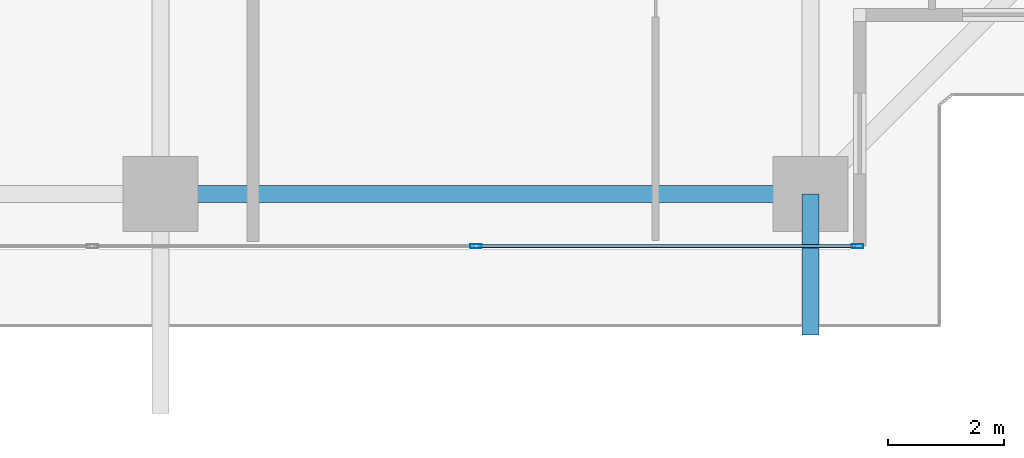
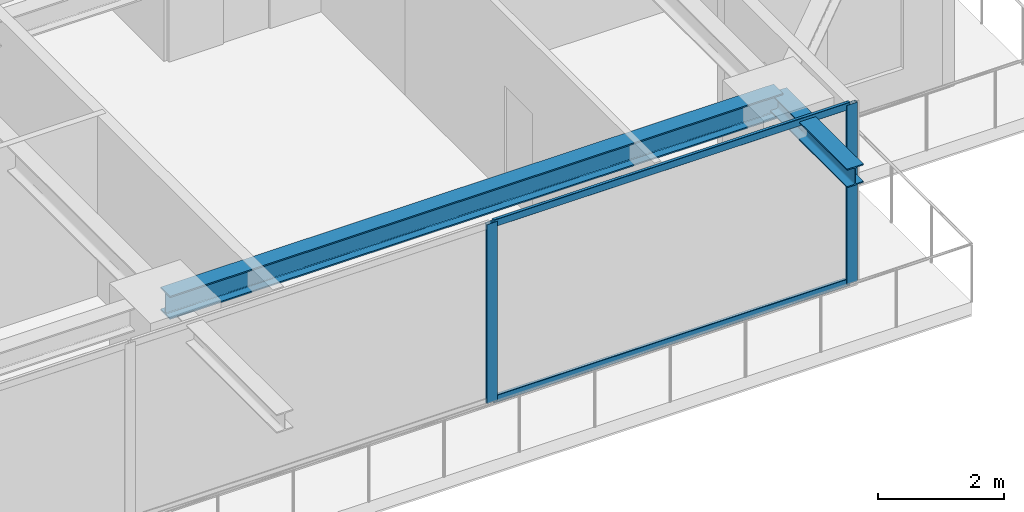
# One storey, part 12 of 37: 4 members, 2 beams, 1 element without a shape of its own.
"""IFC4 building model written with IfcOpenShell, lengths in metres."""

from ifc_helpers import new_model, si_unit, direction, frame, origin, origin_2d, place, context, subcontext, project, spatial, hollow_rectangle, i_section, extrude, source, transform, mapped, material, layer, layer_set, material_profile, profile_set, type_object, element, aggregate, save


model = new_model("IFC4")

# Units and contexts
model_context = context("Model", 3, precision=1e-05, world=origin(), true_north=direction((0.0, 1.0)))
body_context = subcontext(model_context, "Body", "Model", "MODEL_VIEW")
ifc_project = project(units=[si_unit("LENGTHUNIT", "METRE"), si_unit("AREAUNIT", "SQUARE_METRE"), si_unit("VOLUMEUNIT", "CUBIC_METRE"), si_unit("PLANEANGLEUNIT", "RADIAN"), si_unit("MASSUNIT", "GRAM", prefix="KILO")], contexts=[model_context])

# Site, building, storey
site_placement = place(None, origin())
site = spatial("IfcSite", under=ifc_project, at=site_placement, CompositionType="ELEMENT")
building_placement = place(site_placement, origin())
building = spatial("IfcBuilding", under=site, at=building_placement, Name="Serunith Strait Residences", CompositionType="ELEMENT")
storey_placement = place(building_placement, frame((0.0, 0.0, 127.64990234375)))
storey = spatial("IfcBuildingStorey", under=building, at=storey_placement, Name="L31", CompositionType="ELEMENT", Elevation=127.64990234375)

# Beams
ifc_material_1 = material(Name="Steel S355J2", Category="steel")
ifc_material_profile_1 = material_profile(ifc_material_1, i_section(OverallWidth=0.300048828125, OverallDepth=0.449951171875, WebThickness=0.013916015625, FlangeThickness=0.02587890625, FilletRadius=0.027099609375, at=origin_2d()), Name="HEB 450")
ifc_profile_set_1 = profile_set([ifc_material_profile_1], Name="Steel S355J2")
beam_type_1 = type_object("IfcBeamType", Name="BM-HEB450", PredefinedType="BEAM", material=ifc_profile_set_1)
shared_shape_1 = source(origin(), body_context, "Body", "SweptSolid", [
    extrude(i_section(OverallWidth=0.300048828125, OverallDepth=0.449951171875, WebThickness=0.013916015625, FlangeThickness=0.02587890625, FilletRadius=0.027099609375, at=origin_2d()), origin(), (0.0, 0.0, 1.0), 11.25),
])
beam_1_placement = place(storey_placement, frame((36.89990234375, 2.300048828125, 3.26220703125), z_axis=(1.0, 0.0, 0.0), x_axis=(0.0, 1.0, 0.0)))
element("IfcBeam", 1, at=beam_1_placement, inside=storey, type_object=beam_type_1, Name="L31 Perimeter Ring Beam 03", PredefinedType="BEAM", context=body_context, shape_type="MappedRepresentation", body=[
    mapped(shared_shape_1, transform((0.0, 0.0, 0.0), scale=1.0)),
])
ifc_material_profile_2 = material_profile(ifc_material_1, i_section(OverallWidth=0.300048828125, OverallDepth=0.360107421875, WebThickness=0.012451171875, FlangeThickness=0.0224609375, FilletRadius=0.027099609375, at=origin_2d()), Name="HEB 360")
ifc_profile_set_2 = profile_set([ifc_material_profile_2], Name="Steel S355J2")
beam_type_2 = type_object("IfcBeamType", Name="BM-HEB360", PredefinedType="BEAM", material=ifc_profile_set_2)
shared_shape_2 = source(origin(), body_context, "Body", "SweptSolid", [
    extrude(i_section(OverallWidth=0.300048828125, OverallDepth=0.360107421875, WebThickness=0.012451171875, FlangeThickness=0.0224609375, FilletRadius=0.027099609375, at=origin_2d()), origin(), (0.0, 0.0, 1.0), 2.44384765625),
])
beam_2_placement = place(storey_placement, frame((48.14990234375, 2.300048828125, 3.277099609375), z_axis=(0.0, -1.0, 0.0), x_axis=(1.0, 0.0, 0.0)))
element("IfcBeam", 2, at=beam_2_placement, inside=storey, type_object=beam_type_2, Name="L32 Cantilevered Balcony Rib TC-S4", PredefinedType="BEAM", context=body_context, shape_type="MappedRepresentation", body=[
    mapped(shared_shape_2, transform((0.0, 0.0, 0.0), scale=1.0)),
])

# Curtain wall, members
ifc_material_2 = material(Name="Pale-Champagne Anodised Aluminium", Category="aluminium")
ifc_layer = layer(ifc_material_2, 0.199951171875, Name="Pale-Champagne Anodised Aluminium")
ifc_layer_set = layer_set([ifc_layer], Name="Pale-Champagne Anodised Aluminium")
curtain_wall_type = type_object("IfcCurtainWallType", Name="CW-SYS2", PredefinedType="NOTDEFINED", material=ifc_layer_set)
curtain_wall_placement = place(storey_placement, origin())
curtain_wall = element("IfcCurtainWall", 3, at=curtain_wall_placement, inside=storey, type_object=curtain_wall_type, Name="L31 S Unitised Fritted Curtain Wall", PredefinedType="NOTDEFINED")
ifc_material_profile_3 = material_profile(ifc_material_2, hollow_rectangle(XDim=0.070068359375, YDim=0.199951171875, WallThickness=0.00390625, InnerFilletRadius=0.006103515625, OuterFilletRadius=0.010009765625, at=origin_2d()), Name="ALU 200x70x4")
ifc_profile_set_3 = profile_set([ifc_material_profile_3], Name="Pale-Champagne Anodised Aluminium")
member_type_1 = type_object("IfcMemberType", Name="CW-SYS2-MULL", PredefinedType="MULLION", material=ifc_profile_set_3)
shared_shape_3 = source(origin(), body_context, "Body", "SweptSolid", [
    extrude(hollow_rectangle(XDim=0.070068359375, YDim=0.199951171875, WallThickness=0.00390625, InnerFilletRadius=0.006103515625, OuterFilletRadius=0.010009765625, at=origin_2d()), origin(), (0.0, 0.0, 1.0), 3.47509765625),
])
member_1_placement = place(storey_placement, frame((42.360107421875, 1.39990234375, 0.0), z_axis=(0.0, 0.0, 1.0), x_axis=(0.0, 1.0, 0.0)))
member_1 = element("IfcMember", 4, at=member_1_placement, type_object=member_type_1, Name="CW-2 mullion 5", PredefinedType="MULLION", context=body_context, shape_type="MappedRepresentation", body=[
    mapped(shared_shape_3, transform((0.0, 0.0, 0.0), scale=1.0)),
])
member_2_placement = place(storey_placement, frame((48.965087890625, 1.39990234375, 0.0), z_axis=(0.0, 0.0, 1.0), x_axis=(0.0, 1.0, 0.0)))
member_2 = element("IfcMember", 5, at=member_2_placement, type_object=member_type_1, Name="CW-2 mullion 6", PredefinedType="MULLION", context=body_context, shape_type="MappedRepresentation", body=[
    mapped(shared_shape_3, transform((0.0, 0.0, 0.0), scale=1.0)),
])
ifc_material_profile_4 = material_profile(ifc_material_2, hollow_rectangle(XDim=0.06005859375, YDim=0.139892578125, WallThickness=0.00341796875, InnerFilletRadius=0.00537109375, OuterFilletRadius=0.0087890625, at=origin_2d()), Name="ALU 140x60x3.5")
ifc_profile_set_4 = profile_set([ifc_material_profile_4], Name="Pale-Champagne Anodised Aluminium")
member_type_2 = type_object("IfcMemberType", Name="CW-SYS2-TRAN", PredefinedType="USERDEFINED", material=ifc_profile_set_4)
shared_shape_4 = source(origin(), body_context, "Body", "SweptSolid", [
    extrude(hollow_rectangle(XDim=0.06005859375, YDim=0.139892578125, WallThickness=0.00341796875, InnerFilletRadius=0.00537109375, OuterFilletRadius=0.0087890625, at=origin_2d()), origin(), (0.0, 0.0, 1.0), 6.534912109375),
])
member_3_placement = place(storey_placement, frame((42.39501953125, 1.39990234375, 0.030029296875), z_axis=(1.0, 0.0, 0.0), x_axis=(0.0, 1.0, 0.0)))
member_3 = element("IfcMember", 6, at=member_3_placement, type_object=member_type_2, Name="CW-2 transom 5.1", ObjectType="TRANSOM", PredefinedType="USERDEFINED", context=body_context, shape_type="MappedRepresentation", body=[
    mapped(shared_shape_4, transform((0.0, 0.0, 0.0), scale=1.0)),
])
member_4_placement = place(storey_placement, frame((42.39501953125, 1.39990234375, 3.445068359375), z_axis=(1.0, 0.0, 0.0), x_axis=(0.0, 1.0, 0.0)))
member_4 = element("IfcMember", 7, at=member_4_placement, type_object=member_type_2, Name="CW-2 transom 5.2", ObjectType="TRANSOM", PredefinedType="USERDEFINED", context=body_context, shape_type="MappedRepresentation", body=[
    mapped(shared_shape_4, transform((0.0, 0.0, 0.0), scale=1.0)),
])
aggregate(curtain_wall, [member_1, member_2, member_3, member_4])

save(model, "model.ifc")
